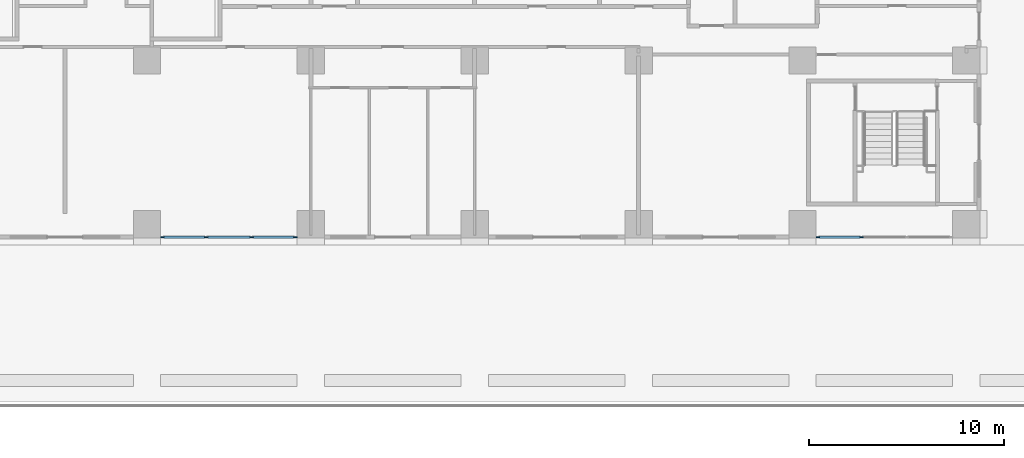
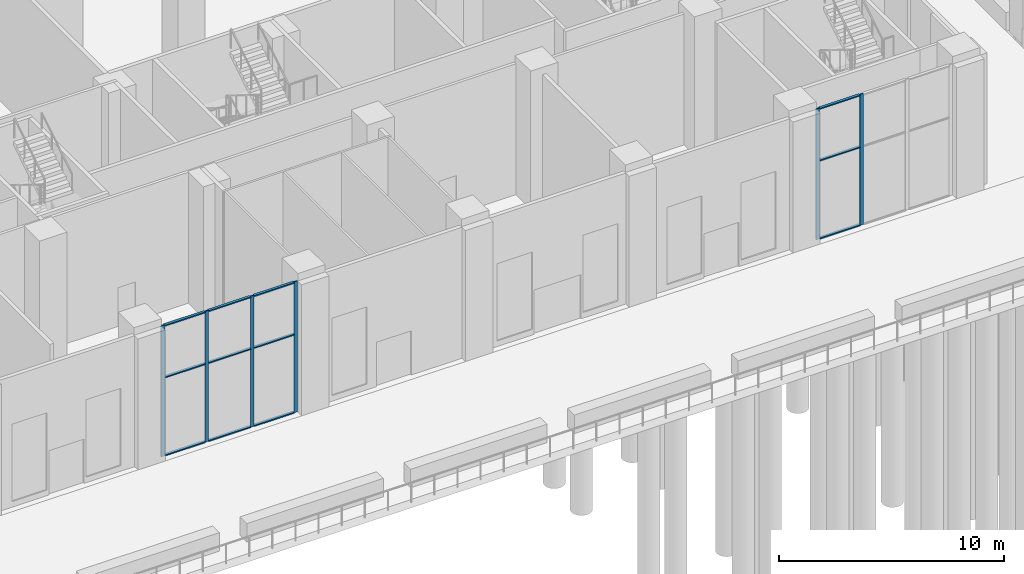
# One storey, part 7 of 53: 18 members, 2 elements without a shape of their own.
"""IFC4 building model written with IfcOpenShell, lengths in metres."""

from ifc_helpers import new_model, si_unit, direction, frame, origin, origin_2d, place, context, subcontext, project, spatial, rectangle, extrude, material, material_profile, profile_set, type_object, element, aggregate, save


model = new_model("IFC4")

# Units and contexts
model_context = context("Model", 3, precision=1e-05, world=origin(), true_north=direction((0.0, 1.0)))
body_context = subcontext(model_context, "Body", "Model", "MODEL_VIEW")
ifc_project = project(units=[si_unit("LENGTHUNIT", "METRE"), si_unit("AREAUNIT", "SQUARE_METRE"), si_unit("VOLUMEUNIT", "CUBIC_METRE"), si_unit("PLANEANGLEUNIT", "RADIAN"), si_unit("MASSUNIT", "GRAM", prefix="KILO")], contexts=[model_context])

# Site, building, storey
site_placement = place(None, origin())
site = spatial("IfcSite", under=ifc_project, at=site_placement, CompositionType="ELEMENT")
building_placement = place(site_placement, origin())
building = spatial("IfcBuilding", under=site, at=building_placement, Name="Vermilion Ogive Tower", CompositionType="ELEMENT")
storey_placement = place(building_placement, origin())
storey = spatial("IfcBuildingStorey", under=building, at=storey_placement, Name="L00", CompositionType="ELEMENT", Elevation=0.0)

# Curtain wall, members
ifc_material_1 = material(Name="Clear double glazing in aluminium frame", Category="aluminium")
curtain_wall_type = type_object("IfcCurtainWallType", Name="Curtain wall CW1", PredefinedType="NOTDEFINED", material=ifc_material_1)
curtain_wall_1_placement = place(storey_placement, origin())
curtain_wall_1 = element("IfcCurtainWall", 1, at=curtain_wall_1_placement, inside=storey, type_object=curtain_wall_type, Name="CW1 shopfront glazing S6", PredefinedType="NOTDEFINED")
ifc_material_2 = material(Name="Aluminium mullion", Category="aluminium")
ifc_material_profile_1 = material_profile(ifc_material_2, rectangle(XDim=0.06005859375, YDim=0.179931640625, at=origin_2d()), Name="AL 60x180")
ifc_profile_set_1 = profile_set([ifc_material_profile_1], Name="Aluminium mullion")
member_type_1 = type_object("IfcMemberType", Name="CW1 mullion 60x180", PredefinedType="MULLION", material=ifc_profile_set_1)
member_1_placement = place(storey_placement, frame((9.18994140625, -30.06005859375, 0.0), z_axis=(0.0, 0.0, 1.0), x_axis=(0.0, 1.0, 0.0)))
member_1 = element("IfcMember", 2, at=member_1_placement, type_object=member_type_1, Name="CW1-S6 mullion 1", PredefinedType="MULLION", context=body_context, shape_type="SweptSolid", body=[
    extrude(rectangle(XDim=0.06005859375, YDim=0.179931640625, at=origin_2d()), origin(), (0.0, 0.0, 1.0), 7.10009765625),
])
member_2_placement = place(storey_placement, frame((11.433349609375, -30.06005859375, 0.0), z_axis=(0.0, 0.0, 1.0), x_axis=(0.0, 1.0, 0.0)))
member_2 = element("IfcMember", 3, at=member_2_placement, type_object=member_type_1, Name="CW1-S6 mullion 2", PredefinedType="MULLION", context=body_context, shape_type="SweptSolid", body=[
    extrude(rectangle(XDim=0.06005859375, YDim=0.179931640625, at=origin_2d()), origin(), (0.0, 0.0, 1.0), 7.10009765625),
])
member_3_placement = place(storey_placement, frame((13.7666015625, -30.06005859375, 0.0), z_axis=(0.0, 0.0, 1.0), x_axis=(0.0, 1.0, 0.0)))
member_3 = element("IfcMember", 4, at=member_3_placement, type_object=member_type_1, Name="CW1-S6 mullion 3", PredefinedType="MULLION", context=body_context, shape_type="SweptSolid", body=[
    extrude(rectangle(XDim=0.06005859375, YDim=0.179931640625, at=origin_2d()), origin(), (0.0, 0.0, 1.0), 7.10009765625),
])
member_4_placement = place(storey_placement, frame((16.010009765625, -30.06005859375, 0.0), z_axis=(0.0, 0.0, 1.0), x_axis=(0.0, 1.0, 0.0)))
member_4 = element("IfcMember", 5, at=member_4_placement, type_object=member_type_1, Name="CW1-S6 mullion 4", PredefinedType="MULLION", context=body_context, shape_type="SweptSolid", body=[
    extrude(rectangle(XDim=0.06005859375, YDim=0.179931640625, at=origin_2d()), origin(), (0.0, 0.0, 1.0), 7.10009765625),
])

curtain_wall_2_placement = place(storey_placement, origin())
curtain_wall_2 = element("IfcCurtainWall", 6, at=curtain_wall_2_placement, inside=storey, type_object=curtain_wall_type, Name="CW1 shopfront glazing S10", PredefinedType="NOTDEFINED")
member_5_placement = place(storey_placement, frame((42.7900390625, -30.06005859375, 0.0), z_axis=(0.0, 0.0, 1.0), x_axis=(0.0, 1.0, 0.0)))
member_5 = element("IfcMember", 7, at=member_5_placement, type_object=member_type_1, Name="CW1-S10 mullion 1", PredefinedType="MULLION", context=body_context, shape_type="SweptSolid", body=[
    extrude(rectangle(XDim=0.06005859375, YDim=0.179931640625, at=origin_2d()), origin(), (0.0, 0.0, 1.0), 7.10009765625),
])
member_6_placement = place(storey_placement, frame((45.033447265625, -30.06005859375, 0.0), z_axis=(0.0, 0.0, 1.0), x_axis=(0.0, 1.0, 0.0)))
member_6 = element("IfcMember", 8, at=member_6_placement, type_object=member_type_1, Name="CW1-S10 mullion 2", PredefinedType="MULLION", context=body_context, shape_type="SweptSolid", body=[
    extrude(rectangle(XDim=0.06005859375, YDim=0.179931640625, at=origin_2d()), origin(), (0.0, 0.0, 1.0), 7.10009765625),
])

# Member
ifc_material_3 = material(Name="Aluminium transom", Category="aluminium")
ifc_material_profile_2 = material_profile(ifc_material_3, rectangle(XDim=0.139892578125, YDim=0.06005859375, at=origin_2d()), Name="AL 60x140")
ifc_profile_set_2 = profile_set([ifc_material_profile_2], Name="Aluminium transom")
member_type_2 = type_object("IfcMemberType", Name="CW1 transom 60x140", PredefinedType="USERDEFINED", material=ifc_profile_set_2)
member_7_placement = place(storey_placement, frame((9.280029296875, -30.06005859375, 0.030029296875), z_axis=(1.0, 0.0, 0.0), x_axis=(0.0, 1.0, 0.0)))
member_7 = element("IfcMember", 9, at=member_7_placement, type_object=member_type_2, Name="CW1-S6 transom 1.1", ObjectType="TRANSOM", PredefinedType="USERDEFINED", context=body_context, shape_type="SweptSolid", body=[
    extrude(rectangle(XDim=0.139892578125, YDim=0.06005859375, at=origin_2d()), origin(), (0.0, 0.0, 1.0), 2.063232421875),
])

member_8_placement = place(storey_placement, frame((9.280029296875, -30.06005859375, 4.260009765625), z_axis=(1.0, 0.0, 0.0), x_axis=(0.0, 1.0, 0.0)))
member_8 = element("IfcMember", 10, at=member_8_placement, type_object=member_type_2, Name="CW1-S6 transom 1.2", ObjectType="TRANSOM", PredefinedType="USERDEFINED", context=body_context, shape_type="SweptSolid", body=[
    extrude(rectangle(XDim=0.139892578125, YDim=0.06005859375, at=origin_2d()), origin(), (0.0, 0.0, 1.0), 2.063232421875),
])

member_9_placement = place(storey_placement, frame((9.280029296875, -30.06005859375, 7.070068359375), z_axis=(1.0, 0.0, 0.0), x_axis=(0.0, 1.0, 0.0)))
member_9 = element("IfcMember", 11, at=member_9_placement, type_object=member_type_2, Name="CW1-S6 transom 1.3", ObjectType="TRANSOM", PredefinedType="USERDEFINED", context=body_context, shape_type="SweptSolid", body=[
    extrude(rectangle(XDim=0.139892578125, YDim=0.06005859375, at=origin_2d()), origin(), (0.0, 0.0, 1.0), 2.063232421875),
])

member_10_placement = place(storey_placement, frame((11.5234375, -30.06005859375, 0.030029296875), z_axis=(1.0, 0.0, 0.0), x_axis=(0.0, 1.0, 0.0)))
member_10 = element("IfcMember", 12, at=member_10_placement, type_object=member_type_2, Name="CW1-S6 transom 2.1", ObjectType="TRANSOM", PredefinedType="USERDEFINED", context=body_context, shape_type="SweptSolid", body=[
    extrude(rectangle(XDim=0.139892578125, YDim=0.06005859375, at=origin_2d()), origin(), (0.0, 0.0, 1.0), 2.1533203125),
])

member_11_placement = place(storey_placement, frame((11.5234375, -30.06005859375, 4.260009765625), z_axis=(1.0, 0.0, 0.0), x_axis=(0.0, 1.0, 0.0)))
member_11 = element("IfcMember", 13, at=member_11_placement, type_object=member_type_2, Name="CW1-S6 transom 2.2", ObjectType="TRANSOM", PredefinedType="USERDEFINED", context=body_context, shape_type="SweptSolid", body=[
    extrude(rectangle(XDim=0.139892578125, YDim=0.06005859375, at=origin_2d()), origin(), (0.0, 0.0, 1.0), 2.1533203125),
])

member_12_placement = place(storey_placement, frame((11.5234375, -30.06005859375, 7.070068359375), z_axis=(1.0, 0.0, 0.0), x_axis=(0.0, 1.0, 0.0)))
member_12 = element("IfcMember", 14, at=member_12_placement, type_object=member_type_2, Name="CW1-S6 transom 2.3", ObjectType="TRANSOM", PredefinedType="USERDEFINED", context=body_context, shape_type="SweptSolid", body=[
    extrude(rectangle(XDim=0.139892578125, YDim=0.06005859375, at=origin_2d()), origin(), (0.0, 0.0, 1.0), 2.1533203125),
])

member_13_placement = place(storey_placement, frame((13.856689453125, -30.06005859375, 0.030029296875), z_axis=(1.0, 0.0, 0.0), x_axis=(0.0, 1.0, 0.0)))
member_13 = element("IfcMember", 15, at=member_13_placement, type_object=member_type_2, Name="CW1-S6 transom 3.1", ObjectType="TRANSOM", PredefinedType="USERDEFINED", context=body_context, shape_type="SweptSolid", body=[
    extrude(rectangle(XDim=0.139892578125, YDim=0.06005859375, at=origin_2d()), origin(), (0.0, 0.0, 1.0), 2.063232421875),
])

member_14_placement = place(storey_placement, frame((13.856689453125, -30.06005859375, 4.260009765625), z_axis=(1.0, 0.0, 0.0), x_axis=(0.0, 1.0, 0.0)))
member_14 = element("IfcMember", 16, at=member_14_placement, type_object=member_type_2, Name="CW1-S6 transom 3.2", ObjectType="TRANSOM", PredefinedType="USERDEFINED", context=body_context, shape_type="SweptSolid", body=[
    extrude(rectangle(XDim=0.139892578125, YDim=0.06005859375, at=origin_2d()), origin(), (0.0, 0.0, 1.0), 2.063232421875),
])

member_15_placement = place(storey_placement, frame((13.856689453125, -30.06005859375, 7.070068359375), z_axis=(1.0, 0.0, 0.0), x_axis=(0.0, 1.0, 0.0)))
member_15 = element("IfcMember", 17, at=member_15_placement, type_object=member_type_2, Name="CW1-S6 transom 3.3", ObjectType="TRANSOM", PredefinedType="USERDEFINED", context=body_context, shape_type="SweptSolid", body=[
    extrude(rectangle(XDim=0.139892578125, YDim=0.06005859375, at=origin_2d()), origin(), (0.0, 0.0, 1.0), 2.063232421875),
])

aggregate(curtain_wall_1, [member_1, member_2, member_3, member_4, member_7, member_8, member_9, member_10, member_11, member_12, member_13, member_14, member_15])

member_16_placement = place(storey_placement, frame((42.8798828125, -30.06005859375, 0.030029296875), z_axis=(1.0, 0.0, 0.0), x_axis=(0.0, 1.0, 0.0)))
member_16 = element("IfcMember", 18, at=member_16_placement, type_object=member_type_2, Name="CW1-S10 transom 1.1", ObjectType="TRANSOM", PredefinedType="USERDEFINED", context=body_context, shape_type="SweptSolid", body=[
    extrude(rectangle(XDim=0.139892578125, YDim=0.06005859375, at=origin_2d()), origin(), (0.0, 0.0, 1.0), 2.0634765625),
])

member_17_placement = place(storey_placement, frame((42.8798828125, -30.06005859375, 4.260009765625), z_axis=(1.0, 0.0, 0.0), x_axis=(0.0, 1.0, 0.0)))
member_17 = element("IfcMember", 19, at=member_17_placement, type_object=member_type_2, Name="CW1-S10 transom 1.2", ObjectType="TRANSOM", PredefinedType="USERDEFINED", context=body_context, shape_type="SweptSolid", body=[
    extrude(rectangle(XDim=0.139892578125, YDim=0.06005859375, at=origin_2d()), origin(), (0.0, 0.0, 1.0), 2.0634765625),
])

member_18_placement = place(storey_placement, frame((42.8798828125, -30.06005859375, 7.070068359375), z_axis=(1.0, 0.0, 0.0), x_axis=(0.0, 1.0, 0.0)))
member_18 = element("IfcMember", 20, at=member_18_placement, type_object=member_type_2, Name="CW1-S10 transom 1.3", ObjectType="TRANSOM", PredefinedType="USERDEFINED", context=body_context, shape_type="SweptSolid", body=[
    extrude(rectangle(XDim=0.139892578125, YDim=0.06005859375, at=origin_2d()), origin(), (0.0, 0.0, 1.0), 2.0634765625),
])

aggregate(curtain_wall_2, [member_5, member_6, member_16, member_17, member_18])

save(model, "model.ifc")
